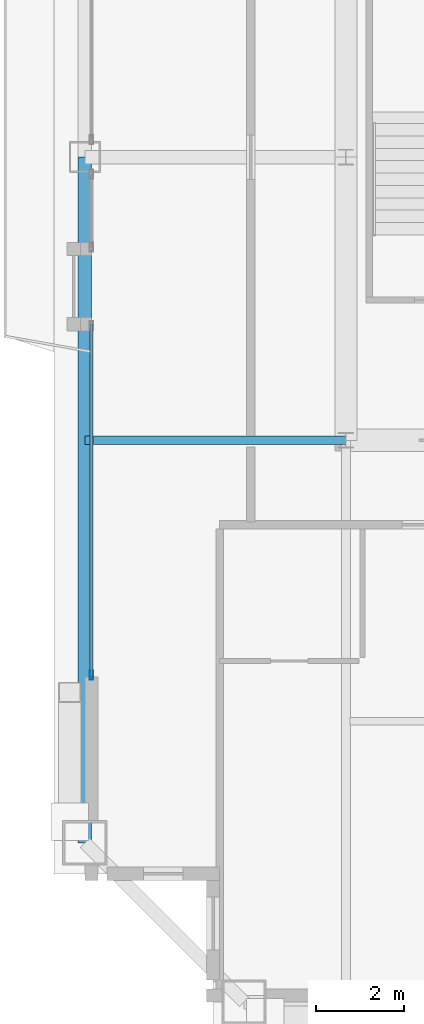
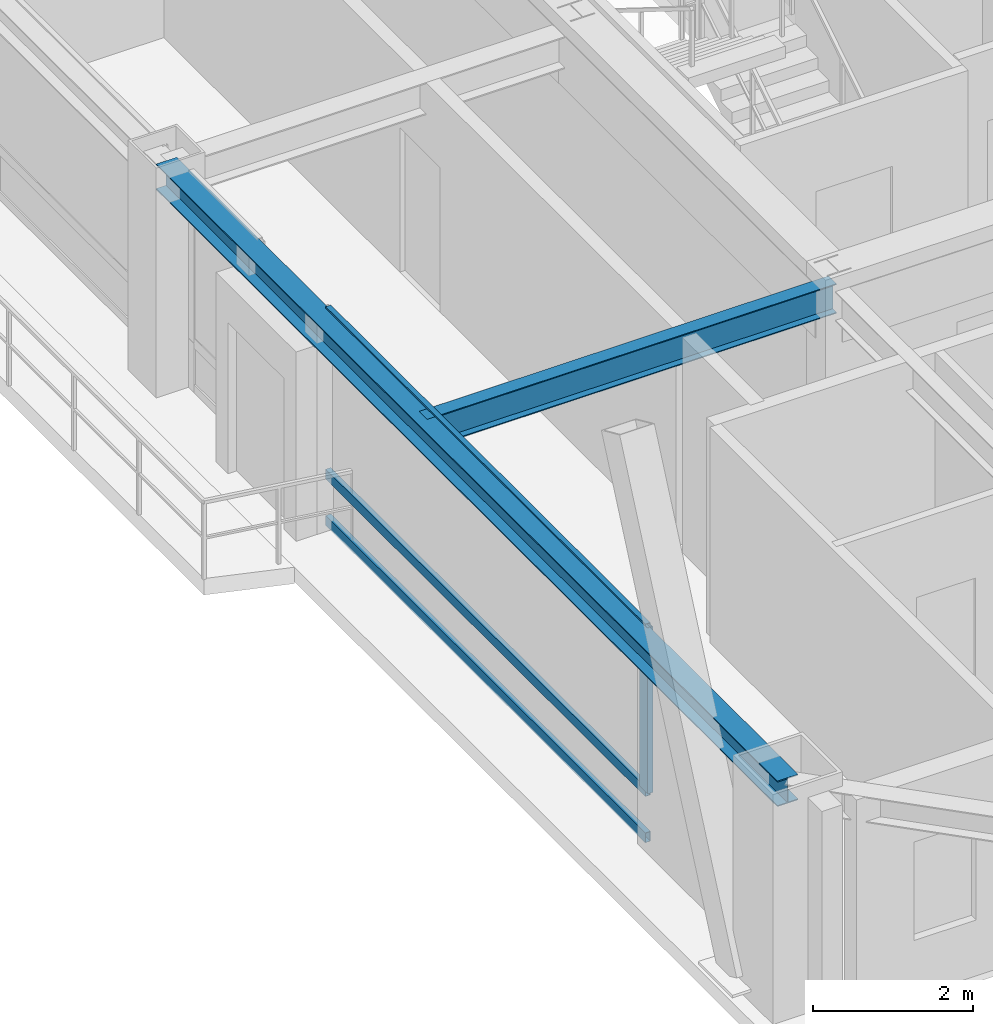
# One storey, part 5 of 33: 4 members, 2 beams, 1 element without a shape of its own.
"""IFC4 building model written with IfcOpenShell, lengths in metres."""

import ifcopenshell
import ifcopenshell.guid

model = None  # the IFC model being written
_history = None  # IfcOwnerHistory: only IFC2X3 demands one
_inside = {}  # id of a spatial element -> (the spatial element, [elements in it])
_under = {}  # id of a project, library or spatial element -> (it, [spatial elements below it])
_declared = {}  # id of a project -> (the project, [libraries it declares])
_typed = {}  # id of a type object -> (the type object, [elements of that type])
_made_of = {}  # id of a material, layer set ... -> (it, [elements and type objects made of it])


def new_model(schema):
    """Start an empty IFC model of exactly this schema.

    Asked for "IFC4X3", IfcOpenShell would pick the latest addendum, in which some entities
    have other attributes; the version numbers below select the first issue.
    IFC2X3 requires an IfcOwnerHistory on every rooted entity: one is made here for all.
    """
    global model, _history
    if schema == "IFC4X3":
        model = ifcopenshell.file(schema_version=(4, 3, 0, 0))
    else:
        model = ifcopenshell.file(schema=schema)
    _inside.clear()
    _under.clear()
    _declared.clear()
    _typed.clear()
    _made_of.clear()
    _history = None
    if model.schema == "IFC2X3":
        org = make("IfcOrganization", Name="unknown")
        user = make(
            "IfcPersonAndOrganization",
            ThePerson=make("IfcPerson", FamilyName="unknown"),
            TheOrganization=org,
        )
        app = make(
            "IfcApplication",
            ApplicationDeveloper=org,
            Version="unknown",
            ApplicationFullName="unknown",
            ApplicationIdentifier="unknown",
        )
        _history = make(
            "IfcOwnerHistory",
            OwningUser=user,
            OwningApplication=app,
            ChangeAction="ADDED",
            CreationDate=0,
        )
    return model


def make(cls, **values):
    """One entity of the class cls with the attributes given. An attribute that is None is left unset."""
    return model.create_entity(
        cls, **{name: value for name, value in values.items() if value is not None}
    )


def rooted(cls, **values):
    """An entity with a GlobalId (a new one), such as an element, a storey or a relation."""
    return make(cls, GlobalId=ifcopenshell.guid.new(), OwnerHistory=_history, **values)


def si_unit(unit_type, name, prefix=None):
    """IfcSIUnit, for example si_unit("LENGTHUNIT", "METRE", prefix="MILLI")."""
    return make("IfcSIUnit", UnitType=unit_type, Prefix=prefix, Name=name)


def assignment(units):
    """IfcUnitAssignment: the units of a project."""
    return None if units is None else make("IfcUnitAssignment", Units=units)


def point(xyz):
    """IfcCartesianPoint."""
    return None if xyz is None else make("IfcCartesianPoint", Coordinates=xyz)


def direction(xyz):
    """IfcDirection."""
    return None if xyz is None else make("IfcDirection", DirectionRatios=xyz)


def frame(location, z_axis=None, x_axis=None):
    """IfcAxis2Placement3D, a coordinate frame: its origin and axes. An axis left out is left unset."""
    return make(
        "IfcAxis2Placement3D",
        Location=point(location),
        Axis=direction(z_axis),
        RefDirection=direction(x_axis),
    )


def frame_2d(location, x_axis=None):
    """IfcAxis2Placement2D, a coordinate frame in the plane: its origin and x axis."""
    return make(
        "IfcAxis2Placement2D", Location=point(location), RefDirection=direction(x_axis)
    )


def origin():
    """The frame at (0, 0, 0) with its axes left unset."""
    return frame((0.0, 0.0, 0.0))


def origin_2d():
    """The frame at (0, 0) in the plane with its x axis left unset."""
    return frame_2d((0.0, 0.0))


def place(relative_to, where):
    """IfcLocalPlacement: puts the frame where relative to a parent placement (None: the world)."""
    return make(
        "IfcLocalPlacement", PlacementRelTo=relative_to, RelativePlacement=where
    )


def context(
    kind, dimensions, precision=None, world=None, true_north=None, identifier=None
):
    """IfcGeometricRepresentationContext, for example the 3D "Model" context."""
    return make(
        "IfcGeometricRepresentationContext",
        ContextIdentifier=identifier,
        ContextType=kind,
        CoordinateSpaceDimension=dimensions,
        Precision=precision,
        WorldCoordinateSystem=world,
        TrueNorth=true_north,
    )


def subcontext(parent, identifier, kind, view, scale=None):
    """IfcGeometricRepresentationSubContext, for example "Body" below "Model"."""
    return make(
        "IfcGeometricRepresentationSubContext",
        ContextIdentifier=identifier,
        ContextType=kind,
        ParentContext=parent,
        TargetScale=scale,
        TargetView=view,
    )


def project(units=None, contexts=None):
    """IfcProject with its units and contexts."""
    return rooted(
        "IfcProject",
        Name="project",
        RepresentationContexts=contexts,
        UnitsInContext=assignment(units),
    )


def spatial(cls, under=None, at=None, **own):
    """A site, building, storey or space (cls), placed at a placement, below another one or the project."""
    s = rooted(cls, ObjectPlacement=at, **own)
    if under is not None:
        _under.setdefault(under.id(), (under, []))[1].append(s)
    return s


def profile(cls, at=None, kind="AREA", **sizes):
    """A parametric profile (cls). Its sizes go by their IFC names, for example OverallWidth=200.0."""
    return make(cls, ProfileType=kind, Position=at, **sizes)


def hollow_rectangle(**sizes):
    """IfcRectangleHollowProfileDef."""
    return profile("IfcRectangleHollowProfileDef", **sizes)


def i_section(**sizes):
    """IfcIShapeProfileDef."""
    return profile("IfcIShapeProfileDef", **sizes)


def extrude(swept, where, along, depth):
    """IfcExtrudedAreaSolid: the profile swept, set in the frame where, extruded along a direction by depth."""
    return make(
        "IfcExtrudedAreaSolid",
        SweptArea=swept,
        Position=where,
        ExtrudedDirection=direction(along),
        Depth=depth,
    )


def shape(context_of_items, identifier, shape_type, items):
    """IfcShapeRepresentation: the items that make up one representation, for example the "Body"."""
    return make(
        "IfcShapeRepresentation",
        ContextOfItems=context_of_items,
        RepresentationIdentifier=identifier,
        RepresentationType=shape_type,
        Items=items,
    )


def source(mapping_origin, context_of_items, identifier, shape_type, items):
    """IfcRepresentationMap: a shape defined once, which mapped items show again and again."""
    return make(
        "IfcRepresentationMap",
        MappingOrigin=mapping_origin,
        MappedRepresentation=shape(context_of_items, identifier, shape_type, items),
    )


def transform(
    local_origin,
    x_axis=None,
    y_axis=None,
    z_axis=None,
    scale=None,
    scale2=None,
    scale3=None,
    uniform=True,
):
    """IfcCartesianTransformationOperator3D, or its non-uniform kind. x_axis, y_axis, z_axis: its Axis1, 2, 3."""
    if uniform:
        return make(
            "IfcCartesianTransformationOperator3D",
            Axis1=direction(x_axis),
            Axis2=direction(y_axis),
            LocalOrigin=point(local_origin),
            Scale=scale,
            Axis3=direction(z_axis),
        )
    return make(
        "IfcCartesianTransformationOperator3DnonUniform",
        Axis1=direction(x_axis),
        Axis2=direction(y_axis),
        LocalOrigin=point(local_origin),
        Scale=scale,
        Axis3=direction(z_axis),
        Scale2=scale2,
        Scale3=scale3,
    )


def mapped(mapping_source, mapping_target):
    """IfcMappedItem: shows the shape of a source again, moved by a transform."""
    return make(
        "IfcMappedItem", MappingSource=mapping_source, MappingTarget=mapping_target
    )


def material(Name=None, Category=None):
    """IfcMaterial."""
    return make("IfcMaterial", Name=Name, Category=Category)


def layer(
    of_material, thickness, ventilated=None, Name=None, Category=None, Priority=None
):
    """IfcMaterialLayer: one layer of a wall or slab, of a material (None: an air gap)."""
    return make(
        "IfcMaterialLayer",
        Material=of_material,
        LayerThickness=thickness,
        IsVentilated=ventilated,
        Name=Name,
        Category=Category,
        Priority=Priority,
    )


def layer_set(layers, Name=None):
    """IfcMaterialLayerSet."""
    return make("IfcMaterialLayerSet", MaterialLayers=layers, LayerSetName=Name)


def material_profile(
    of_material, cross_section, Name=None, Category=None, Priority=None
):
    """IfcMaterialProfile: a cross section and its material."""
    return make(
        "IfcMaterialProfile",
        Name=Name,
        Material=of_material,
        Profile=cross_section,
        Priority=Priority,
        Category=Category,
    )


def profile_set(profiles, Name=None, composite=None):
    """IfcMaterialProfileSet."""
    return make(
        "IfcMaterialProfileSet",
        Name=Name,
        MaterialProfiles=profiles,
        CompositeProfile=composite,
    )


def made_of(thing, what):
    """Note that an element or type object is made of a material, layer set ...; save() writes the relation."""
    if what is not None:
        _made_of.setdefault(what.id(), (what, []))[1].append(thing)
    return thing


def type_object(cls, material=None, **own):
    """A type object (cls), such as IfcWallType, which elements share."""
    return made_of(rooted(cls, **own), material)


def element(
    cls,
    number,
    at=None,
    inside=None,
    cuts=None,
    type_object=None,
    material=None,
    context=None,
    identifier="Body",
    shape_type=None,
    held_by="IfcProductDefinitionShape",
    body=None,
    shapes=None,
    **own,
):
    """One element of the class cls, such as IfcWall. Its Tag is "e" and its number.

    at: its placement. inside: the storey or other place that contains it. cuts: it is an
    opening in that element (IfcRelVoidsElement). A single representation is given by context,
    identifier, shape_type and body (its items); several are given by shapes. held_by: the class
    of the entity that holds the representations. save() writes the other relations.
    """
    e = rooted(cls, Tag="e%d" % number, ObjectPlacement=at, **own)
    if body is not None:
        shapes = [shape(context, identifier, shape_type, body)]
    if shapes is not None:
        e.Representation = make(held_by, Representations=shapes)
    if inside is not None:
        _inside.setdefault(inside.id(), (inside, []))[1].append(e)
    if cuts is not None:
        rooted(
            "IfcRelVoidsElement", RelatingBuildingElement=cuts, RelatedOpeningElement=e
        )
    if type_object is not None:
        _typed.setdefault(type_object.id(), (type_object, []))[1].append(e)
    return made_of(e, material)


def aggregate(whole, parts):
    """IfcRelAggregates: a whole, such as a stair, and the parts it consists of."""
    return rooted("IfcRelAggregates", RelatingObject=whole, RelatedObjects=parts)


def save(model, path):
    """Write the relations noted so far, then the file.

    IfcRelAggregates (storeys below a building ...), IfcRelContainedInSpatialStructure (elements
    in a storey), IfcRelDefinesByType, IfcRelAssociatesMaterial and IfcRelDeclares: one each for
    every whole, place, type object, material and project.
    """
    for whole, parts in _under.values():
        aggregate(whole, parts)
    for where, things in _inside.values():
        rooted(
            "IfcRelContainedInSpatialStructure",
            RelatedElements=things,
            RelatingStructure=where,
        )
    for kind, things in _typed.values():
        rooted("IfcRelDefinesByType", RelatedObjects=things, RelatingType=kind)
    for what, things in _made_of.values():
        rooted("IfcRelAssociatesMaterial", RelatedObjects=things, RelatingMaterial=what)
    for by, libraries in _declared.values():
        rooted("IfcRelDeclares", RelatingContext=by, RelatedDefinitions=libraries)
    model.write(path)


model = new_model("IFC4")

# Units and contexts
model_context = context("Model", 3, precision=1e-05, world=origin(), true_north=direction((0.0, 1.0)))
body_context = subcontext(model_context, "Body", "Model", "MODEL_VIEW")
ifc_project = project(units=[si_unit("LENGTHUNIT", "METRE"), si_unit("AREAUNIT", "SQUARE_METRE"), si_unit("VOLUMEUNIT", "CUBIC_METRE"), si_unit("PLANEANGLEUNIT", "RADIAN"), si_unit("MASSUNIT", "GRAM", prefix="KILO"), si_unit("THERMODYNAMICTEMPERATUREUNIT", "KELVIN"), si_unit("POWERUNIT", "WATT")], contexts=[model_context])

# Site, building, storey
site_placement = place(None, origin())
site = spatial("IfcSite", under=ifc_project, at=site_placement, CompositionType="ELEMENT")
building_placement = place(site_placement, origin())
building = spatial("IfcBuilding", under=site, at=building_placement, Name="Yuzanri Waterfront Tower", CompositionType="ELEMENT")
storey_placement = place(building_placement, frame((0.0, 0.0, 292.60009765625)))
storey = spatial("IfcBuildingStorey", under=building, at=storey_placement, Name="L78", CompositionType="ELEMENT", Elevation=292.60009765625)

# Beams
ifc_material_1 = material(Name="Steel Q355B", Category="steel")
ifc_material_profile_1 = material_profile(ifc_material_1, i_section(OverallWidth=0.300048828125, OverallDepth=0.389892578125, WebThickness=0.010009765625, FlangeThickness=0.01611328125, at=origin_2d()), Name="HM 390x300x10x16")
ifc_profile_set_1 = profile_set([ifc_material_profile_1], Name="Steel Q355B")
beam_type_1 = type_object("IfcBeamType", Name="Perimeter Spandrel Q355B HM 390x300", PredefinedType="SPANDREL", material=ifc_profile_set_1)
shared_shape_1 = source(origin(), body_context, "Body", "SweptSolid", [
    extrude(i_section(OverallWidth=0.300048828125, OverallDepth=0.389892578125, WebThickness=0.010009765625, FlangeThickness=0.01611328125, at=origin_2d()), origin(), (0.0, 0.0, 1.0), 15.5),
])
beam_1_placement = place(storey_placement, frame((17.89990234375, 25.800048828125, 3.0849609375), z_axis=(0.0, -1.0, 0.0), x_axis=(1.0, 0.0, 0.0)))
element("IfcBeam", 1, at=beam_1_placement, inside=storey, type_object=beam_type_1, Name="L78 Perimeter Spandrel W2-W1", PredefinedType="SPANDREL", context=body_context, shape_type="MappedRepresentation", body=[
    mapped(shared_shape_1, transform((0.0, 0.0, 0.0), scale=1.0)),
])
ifc_material_2 = material(Name="Steel Q355B", Category="steel")
ifc_material_profile_2 = material_profile(ifc_material_2, i_section(OverallWidth=0.199951171875, OverallDepth=0.449951171875, WebThickness=0.009033203125, FlangeThickness=0.013916015625, at=origin_2d()), Name="HN 450x200x9x14")
ifc_profile_set_2 = profile_set([ifc_material_profile_2], Name="Steel Q355B")
beam_type_2 = type_object("IfcBeamType", Name="Secondary Floor Beam Q355B HN 450x200", PredefinedType="BEAM", material=ifc_profile_set_2)
shared_shape_2 = source(origin(), body_context, "Body", "SweptSolid", [
    extrude(i_section(OverallWidth=0.199951171875, OverallDepth=0.449951171875, WebThickness=0.009033203125, FlangeThickness=0.013916015625, at=origin_2d()), origin(), (0.0, 0.0, 1.0), 5.900146484375),
])
beam_2_placement = place(storey_placement, frame((23.800048828125, 19.39990234375, 3.054931640625), z_axis=(-1.0, 0.0, 0.0), x_axis=(0.0, -1.0, 0.0)))
element("IfcBeam", 2, at=beam_2_placement, inside=storey, type_object=beam_type_2, Name="L78 West-South Core Line Beam", PredefinedType="BEAM", context=body_context, shape_type="MappedRepresentation", body=[
    mapped(shared_shape_2, transform((0.0, 0.0, 0.0), scale=1.0)),
])

# Curtain wall, members
ifc_material_3 = material(Name="Anodized Architectural Bronze", Category="metal")
ifc_layer = layer(ifc_material_3, 0.159912109375)
ifc_layer_set = layer_set([ifc_layer], Name="Anodized Architectural Bronze")
curtain_wall_type = type_object("IfcCurtainWallType", Name="Anodized Bronze High-Rise Penthouse High-Wind Unitized Curtain Wall 6900", PredefinedType="NOTDEFINED", material=ifc_layer_set)
curtain_wall_placement = place(storey_placement, origin())
curtain_wall = element("IfcCurtainWall", 3, at=curtain_wall_placement, inside=storey, type_object=curtain_wall_type, Name="L78 Curtain Wall CW-L78-WL1", PredefinedType="NOTDEFINED")
ifc_material_4 = material(Name="Anodized Architectural Bronze", Category="metal")
ifc_material_profile_3 = material_profile(ifc_material_4, hollow_rectangle(XDim=0.074951171875, YDim=0.199951171875, WallThickness=0.00390625, at=origin_2d()), Name="CWM 75x200")
ifc_profile_set_3 = profile_set([ifc_material_profile_3], Name="Anodized Architectural Bronze")
member_type_1 = type_object("IfcMemberType", Name="Anodized Bronze Primary Curtain-Wall Mullion 75x200", PredefinedType="MULLION", material=ifc_profile_set_3)
shared_shape_3 = source(origin(), body_context, "Body", "SweptSolid", [
    extrude(hollow_rectangle(XDim=0.074951171875, YDim=0.199951171875, WallThickness=0.00390625, at=origin_2d()), origin(), (0.0, 0.0, 1.0), 2.52392578125),
])
member_1_placement = place(storey_placement, frame((18.050048828125, 14.090087890625, 0.755859375), z_axis=(0.0, 0.0, 1.0), x_axis=(1.0, 0.0, 0.0)))
member_1 = element("IfcMember", 4, at=member_1_placement, type_object=member_type_1, Name="CW-L78-WL1 Upper Mullion 00", PredefinedType="MULLION", context=body_context, shape_type="MappedRepresentation", body=[
    mapped(shared_shape_3, transform((0.0, 0.0, 0.0), scale=1.0)),
])
ifc_material_5 = material(Name="Anodized Architectural Bronze", Category="metal")
ifc_material_profile_4 = material_profile(ifc_material_5, hollow_rectangle(XDim=0.074951171875, YDim=0.14990234375, WallThickness=0.00390625, at=origin_2d()), Name="CWT 75x150")
ifc_profile_set_4 = profile_set([ifc_material_profile_4], Name="Anodized Architectural Bronze")
member_type_2 = type_object("IfcMemberType", Name="Anodized Bronze Primary Curtain-Wall Transom 75x150", PredefinedType="USERDEFINED", material=ifc_profile_set_4)
shared_shape_4 = source(origin(), body_context, "Body", "SweptSolid", [
    extrude(hollow_rectangle(XDim=0.074951171875, YDim=0.14990234375, WallThickness=0.00390625, at=origin_2d()), origin(), (0.0, 0.0, 1.0), 7.974853515625),
])
member_2_placement = place(storey_placement, frame((18.050048828125, 14.050048828125, 0.0498046875), z_axis=(0.0, 1.0, 0.0), x_axis=(-1.0, 0.0, 0.0)))
member_2 = element("IfcMember", 5, at=member_2_placement, type_object=member_type_2, Name="CW-L78-WL1 Transom 1", ObjectType="TRANSOM", PredefinedType="USERDEFINED", context=body_context, shape_type="MappedRepresentation", body=[
    mapped(shared_shape_4, transform((0.0, 0.0, 0.0), scale=1.0)),
])
member_3_placement = place(storey_placement, frame((18.050048828125, 14.050048828125, 0.75390625), z_axis=(0.0, 1.0, 0.0), x_axis=(-1.0, 0.0, 0.0)))
member_3 = element("IfcMember", 6, at=member_3_placement, type_object=member_type_2, Name="CW-L78-WL1 Transom 2", ObjectType="TRANSOM", PredefinedType="USERDEFINED", context=body_context, shape_type="MappedRepresentation", body=[
    mapped(shared_shape_4, transform((0.0, 0.0, 0.0), scale=1.0)),
])
member_4_placement = place(storey_placement, frame((18.050048828125, 14.050048828125, 3.22998046875), z_axis=(0.0, 1.0, 0.0), x_axis=(-1.0, 0.0, 0.0)))
member_4 = element("IfcMember", 7, at=member_4_placement, type_object=member_type_2, Name="CW-L78-WL1 Transom 3", ObjectType="TRANSOM", PredefinedType="USERDEFINED", context=body_context, shape_type="MappedRepresentation", body=[
    mapped(shared_shape_4, transform((0.0, 0.0, 0.0), scale=1.0)),
])
aggregate(curtain_wall, [member_1, member_2, member_3, member_4])

save(model, "model.ifc")
